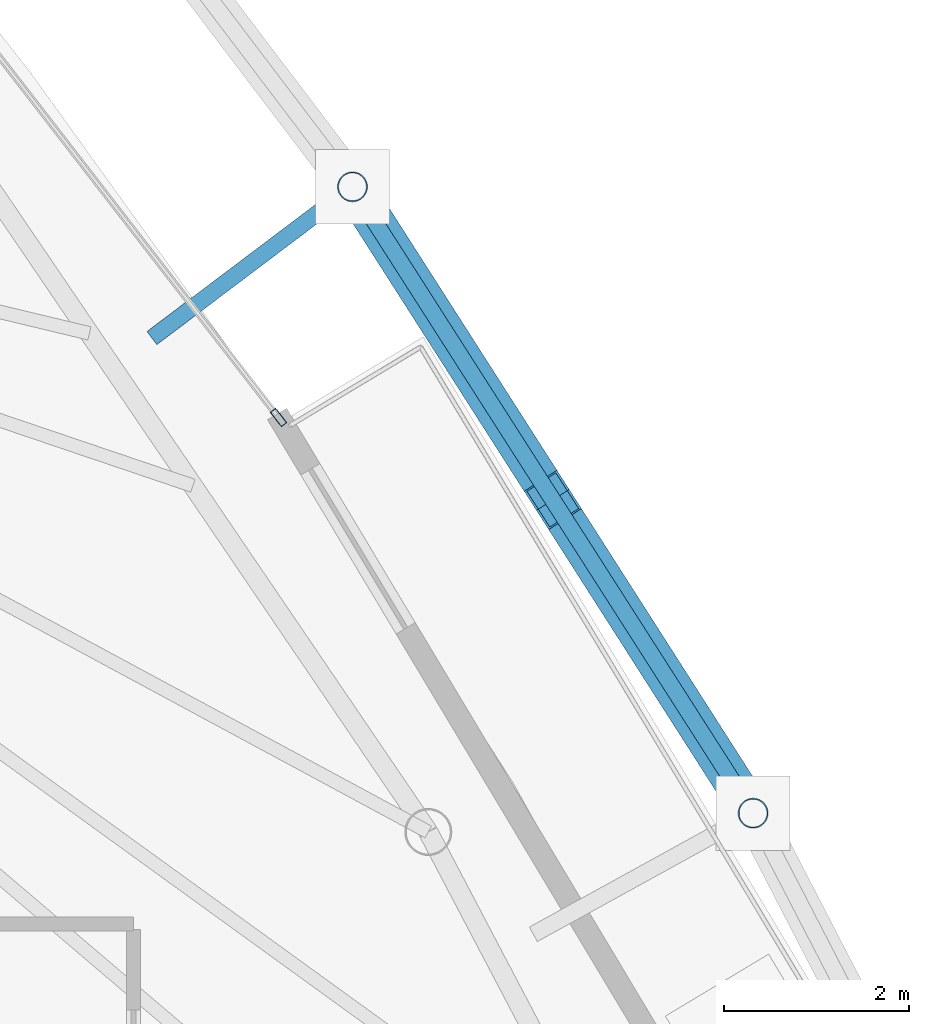
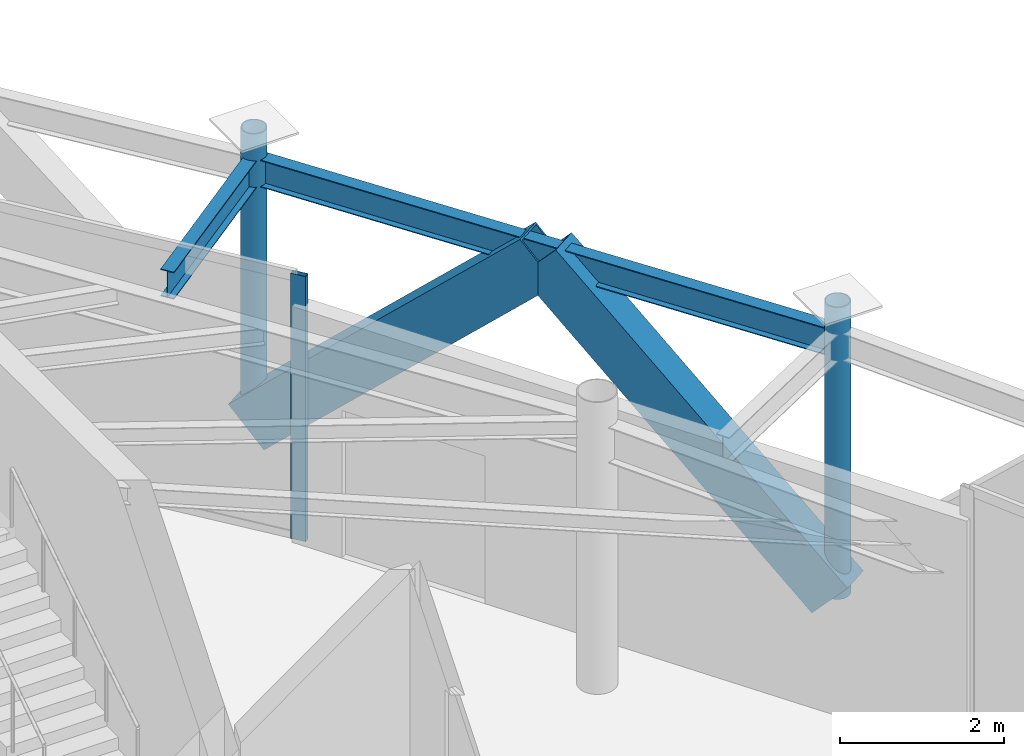
# One storey, part 14 of 22: 5 members, 2 beams, 1 element without a shape of its own.
"""IFC4 building model written with IfcOpenShell, lengths in metres."""

from ifc_helpers import new_model, si_unit, direction, frame, origin, origin_2d, place, context, subcontext, project, spatial, hollow_rectangle, hollow_circle, i_section, extrude, material, layer, layer_set, material_profile, profile_set, type_object, element, aggregate, save


model = new_model("IFC4")

# Units and contexts
model_context = context("Model", 3, precision=1e-05, world=origin(), true_north=direction((0.0, 1.0)))
body_context = subcontext(model_context, "Body", "Model", "MODEL_VIEW")
ifc_project = project(units=[si_unit("LENGTHUNIT", "METRE"), si_unit("AREAUNIT", "SQUARE_METRE"), si_unit("VOLUMEUNIT", "CUBIC_METRE"), si_unit("PLANEANGLEUNIT", "RADIAN"), si_unit("MASSUNIT", "GRAM", prefix="KILO")], contexts=[model_context])

# Site, building, storey
site_placement = place(None, origin())
site = spatial("IfcSite", under=ifc_project, at=site_placement, CompositionType="ELEMENT")
building_placement = place(site_placement, origin())
building = spatial("IfcBuilding", under=site, at=building_placement, Name="Orvanel Arch Residences", CompositionType="ELEMENT")
storey_placement = place(building_placement, frame((0.0, 0.0, 276.64990234375)))
storey = spatial("IfcBuildingStorey", under=building, at=storey_placement, Name="L79", CompositionType="ELEMENT", Elevation=276.64990234375)

# Members
ifc_material_1 = material(Name="Structural steel AS/NZS 3678 Grade 350", Category="steel")
ifc_material_profile_1 = material_profile(ifc_material_1, hollow_rectangle(XDim=0.419921875, YDim=0.719970703125, WallThickness=0.02490234375, at=origin_2d()), Name="RHS720x420x25")
ifc_profile_set_1 = profile_set([ifc_material_profile_1], Name="Structural steel AS/NZS 3678 Grade 350")
member_type_1 = type_object("IfcMemberType", Name="BR-720RHS-EXT", PredefinedType="BRACE", material=ifc_profile_set_1)
member_1_placement = place(storey_placement, frame((48.93603515625, 27.843994140625, 0.0), z_axis=(-0.393673852262, 0.615726896133, 0.682569620935), x_axis=(-0.842514452042, -0.53867373994, 0.0)))
element("IfcMember", 1, at=member_1_placement, inside=storey, type_object=member_type_1, Name="L79 Exterior Sky-Garden V-Frame Chevron F3B2.1", PredefinedType="BRACE", context=body_context, shape_type="SweptSolid", body=[
    extrude(hollow_rectangle(XDim=0.419921875, YDim=0.719970703125, WallThickness=0.02490234375, at=origin_2d()), origin(), (0.0, 0.0, 1.0), 5.48974609375),
])
member_2_placement = place(storey_placement, frame((44.613037109375, 34.60302734375, 0.0), z_axis=(0.393840496137, -0.615556461495, 0.682627208889), x_axis=(0.842343240477, 0.538941430233, 0.0)))
element("IfcMember", 2, at=member_2_placement, inside=storey, type_object=member_type_1, Name="L79 Exterior Sky-Garden V-Frame Chevron F3B2.2", PredefinedType="BRACE", context=body_context, shape_type="SweptSolid", body=[
    extrude(hollow_rectangle(XDim=0.419921875, YDim=0.719970703125, WallThickness=0.02490234375, at=origin_2d()), origin(), (0.0, 0.0, 1.0), 5.4892578125),
])

# Curtain wall, member
ifc_material_2 = material(Name="Bronze-anodised aluminium AA6063-T6", Category="aluminium")
ifc_layer = layer(ifc_material_2, 0.195068359375)
ifc_layer_set = layer_set([ifc_layer], Name="Bronze-anodised aluminium AA6063-T6")
curtain_wall_type = type_object("IfcCurtainWallType", Name="CW6-COM-SYS", PredefinedType="NOTDEFINED", material=ifc_layer_set)
curtain_wall_placement = place(storey_placement, origin())
curtain_wall = element("IfcCurtainWall", 3, at=curtain_wall_placement, inside=storey, type_object=curtain_wall_type, Name="L79 CW6-COM-SYS Unitised Curtain Wall", PredefinedType="NOTDEFINED")
ifc_material_profile_2 = material_profile(ifc_material_2, hollow_rectangle(XDim=0.074951171875, YDim=0.199951171875, WallThickness=0.0048828125, at=origin_2d()), Name="ALU200x75x5")
ifc_profile_set_2 = profile_set([ifc_material_profile_2], Name="Bronze-anodised aluminium AA6063-T6")
member_type_2 = type_object("IfcMemberType", Name="MUL-200x75", PredefinedType="MULLION", material=ifc_profile_set_2)
member_3_placement = place(storey_placement, frame((43.81494140625, 32.11376953125, 0.0), z_axis=(0.0, 0.0, 1.0), x_axis=(-0.790837129948, -0.612026661099, 0.0)))
member_3 = element("IfcMember", 4, at=member_3_placement, type_object=member_type_2, Name="CW-S6 mullion 1", PredefinedType="MULLION", context=body_context, shape_type="SweptSolid", body=[
    extrude(hollow_rectangle(XDim=0.074951171875, YDim=0.199951171875, WallThickness=0.0048828125, at=origin_2d()), origin(), (0.0, 0.0, 1.0), 3.9501953125),
])
aggregate(curtain_wall, [member_3])

# Beams
ifc_material_3 = material(Name="Structural steel AS/NZS 3679.1 Grade 300 (300 MPa)", Category="steel")
ifc_material_profile_3 = material_profile(ifc_material_3, i_section(OverallWidth=0.177978515625, OverallDepth=0.406005859375, WebThickness=0.0078125, FlangeThickness=0.0126953125, at=origin_2d()), Name="410UB59.7")
ifc_profile_set_3 = profile_set([ifc_material_profile_3], Name="Structural steel AS/NZS 3679.1 Grade 300 (300 MPa)")
beam_type = type_object("IfcBeamType", Name="OB-410UB-EXT", PredefinedType="SPANDREL", material=ifc_profile_set_3)
beam_1_placement = place(storey_placement, frame((48.93603515625, 27.843994140625, 3.7470703125), z_axis=(-0.538807581315, 0.842428863654, 0.0), x_axis=(-0.842428863654, -0.538807581315, 0.0)))
element("IfcBeam", 5, at=beam_1_placement, inside=storey, type_object=beam_type, Name="L79 Outer Perimeter Floor Ring Beam 10", PredefinedType="SPANDREL", context=body_context, shape_type="SweptSolid", body=[
    extrude(i_section(OverallWidth=0.177978515625, OverallDepth=0.406005859375, WebThickness=0.0078125, FlangeThickness=0.0126953125, at=origin_2d()), origin(), (0.0, 0.0, 1.0), 8.023193359375),
])
beam_2_placement = place(storey_placement, frame((42.448974609375, 32.970947265625, 3.7470703125), z_axis=(0.798397479438, 0.602130770537, 0.0), x_axis=(-0.602130770537, 0.798397479438, 0.0)))
element("IfcBeam", 6, at=beam_2_placement, inside=storey, type_object=beam_type, Name="L79 Outer Frame Radial Tie Beam 11", PredefinedType="SPANDREL", context=body_context, shape_type="SweptSolid", body=[
    extrude(i_section(OverallWidth=0.177978515625, OverallDepth=0.406005859375, WebThickness=0.0078125, FlangeThickness=0.0126953125, at=origin_2d()), origin(), (0.0, 0.0, 1.0), 2.71044921875),
])

# Members
ifc_material_4 = material(Name="Structural steel AS/NZS 1163 C350L0 (Grade 350)", Category="steel")
ifc_material_profile_4 = material_profile(ifc_material_4, hollow_circle(Radius=0.162109375, WallThickness=0.0126953125, at=origin_2d()), Name="CHS324x12.7")
ifc_profile_set_4 = profile_set([ifc_material_profile_4], Name="Structural steel AS/NZS 1163 C350L0 (Grade 350)")
member_type_3 = type_object("IfcMemberType", Name="ST-324CHS-EXT", PredefinedType="STRUT", material=ifc_profile_set_4)
for number, where, z_axis, x_axis, name in (
    (7, (48.93603515625, 27.843994140625, 0.0), (0.0, 0.0, 1.0), (1.0, 0.0, 0.0), "L79 Outer Perimeter Frame Post 10"),
    (8, (44.613037109375, 34.60302734375, 0.0), (0.0, 0.0, 1.0), (1.0, 0.0, 0.0), "L79 Outer Perimeter Frame Post 11"),
):
    element("IfcMember", number, at=place(storey_placement, frame(where, z_axis=z_axis, x_axis=x_axis)), inside=storey, type_object=member_type_3, Name=name, PredefinedType="STRUT", context=body_context, shape_type="SweptSolid", body=[
        extrude(hollow_circle(Radius=0.162109375, WallThickness=0.0126953125, at=origin_2d()), origin(), (0.0, 0.0, 1.0), 4.35009765625),
    ])

save(model, "model.ifc")
